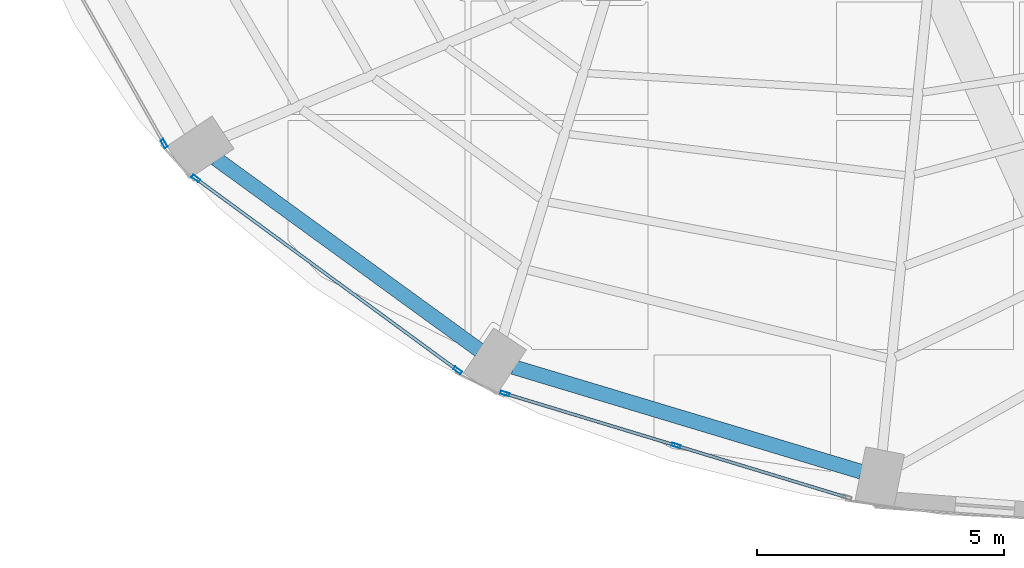
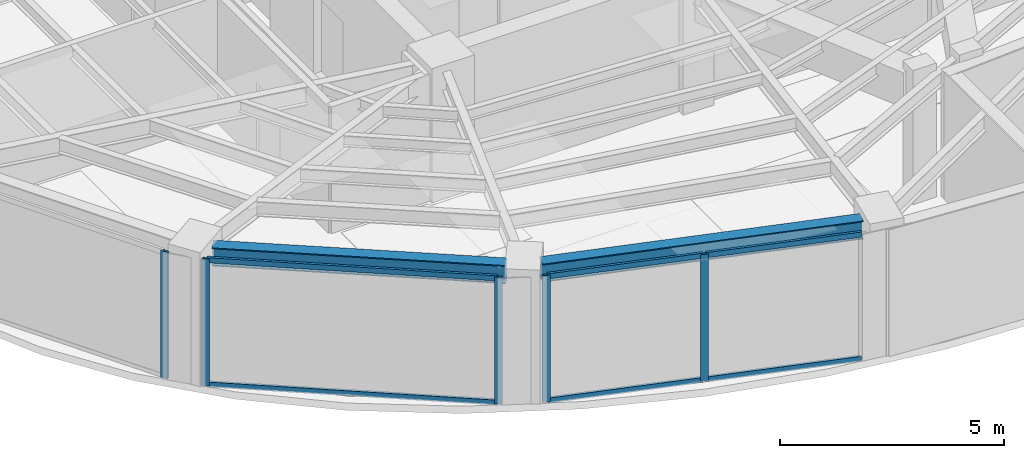
# One storey, part 2 of 23: 11 members, 2 beams, 3 elements without a shape of their own.
"""IFC4 building model written with IfcOpenShell, lengths in metres."""

from ifc_helpers import new_model, si_unit, direction, frame, origin, origin_2d, place, context, subcontext, project, spatial, hollow_rectangle, i_section, extrude, material, layer, layer_set, material_profile, profile_set, type_object, element, aggregate, save


model = new_model("IFC4")

# Units and contexts
model_context = context("Model", 3, precision=1e-05, world=origin(), true_north=direction((0.0, 1.0)))
body_context = subcontext(model_context, "Body", "Model", "MODEL_VIEW")
ifc_project = project(units=[si_unit("LENGTHUNIT", "METRE"), si_unit("AREAUNIT", "SQUARE_METRE"), si_unit("VOLUMEUNIT", "CUBIC_METRE"), si_unit("PLANEANGLEUNIT", "RADIAN"), si_unit("MASSUNIT", "GRAM", prefix="KILO")], contexts=[model_context])

# Site, building, storey
site_placement = place(None, origin())
site = spatial("IfcSite", under=ifc_project, at=site_placement, CompositionType="ELEMENT")
building_placement = place(site_placement, origin())
building = spatial("IfcBuilding", under=site, at=building_placement, Name="Lazwardi Medical Tower", CompositionType="ELEMENT")
storey_placement = place(building_placement, frame((0.0, 0.0, 262.320068359375)))
storey = spatial("IfcBuildingStorey", under=building, at=storey_placement, Name="L68", CompositionType="ELEMENT", Elevation=262.320068359375)

# Beams
ifc_material_1 = material(Name="Steel S355", Category="steel")
ifc_material_profile_1 = material_profile(ifc_material_1, i_section(OverallWidth=0.300048828125, OverallDepth=0.5, WebThickness=0.014404296875, FlangeThickness=0.028076171875, at=origin_2d()), Name="HEB 500")
ifc_profile_set_1 = profile_set([ifc_material_profile_1], Name="Steel S355")
beam_type = type_object("IfcBeamType", Name="BM-RB-Z4", PredefinedType="BEAM", material=ifc_profile_set_1)
beam_1_placement = place(storey_placement, frame((18.355712890625, 16.648193359375, 3.197998046875), z_axis=(0.808889916254, -0.587960120571, 0.0), x_axis=(0.587960120571, 0.808889916254, 0.0)))
element("IfcBeam", 1, at=beam_1_placement, inside=storey, type_object=beam_type, Name="Ring beam RB-05 B14 L68", PredefinedType="BEAM", context=body_context, shape_type="SweptSolid", body=[
    extrude(i_section(OverallWidth=0.300048828125, OverallDepth=0.5, WebThickness=0.014404296875, FlangeThickness=0.028076171875, at=origin_2d()), origin(), (0.0, 0.0, 1.0), 6.587158203125),
])
beam_2_placement = place(storey_placement, frame((24.373046875, 12.43359375, 3.197998046875), z_axis=(0.957544311906, -0.288286126506, 0.0), x_axis=(0.288286126506, 0.957544311906, 0.0)))
element("IfcBeam", 2, at=beam_2_placement, inside=storey, type_object=beam_type, Name="Ring beam RB-05 B15 L68", PredefinedType="BEAM", context=body_context, shape_type="SweptSolid", body=[
    extrude(i_section(OverallWidth=0.300048828125, OverallDepth=0.5, WebThickness=0.014404296875, FlangeThickness=0.028076171875, at=origin_2d()), origin(), (0.0, 0.0, 1.0), 7.3515625),
])

# Curtain wall, member
ifc_material_2 = material(Name="Anodised bronze aluminium and solar control glazing", Category="aluminium")
ifc_layer = layer(ifc_material_2, 0.18994140625)
ifc_layer_set = layer_set([ifc_layer], Name="Anodised bronze aluminium and solar control glazing")
curtain_wall_type = type_object("IfcCurtainWallType", Name="CW-SYS-04", PredefinedType="NOTDEFINED", material=ifc_layer_set)
curtain_wall_1_placement = place(storey_placement, origin())
curtain_wall_1 = element("IfcCurtainWall", 3, at=curtain_wall_1_placement, inside=storey, type_object=curtain_wall_type, Name="L68 Unitised bronze curtain wall CW-04", PredefinedType="NOTDEFINED")
ifc_material_3 = material(Name="Anodised bronze aluminium", Category="aluminium")
ifc_material_profile_2 = material_profile(ifc_material_3, hollow_rectangle(XDim=0.06494140625, YDim=0.179931640625, WallThickness=0.00390625, at=origin_2d()), Name="ALU-MULLION 180x65x4")
ifc_profile_set_2 = profile_set([ifc_material_profile_2], Name="Anodised bronze aluminium")
member_type_1 = type_object("IfcMemberType", Name="CW-MUL-03", PredefinedType="MULLION", material=ifc_profile_set_2)
member_1_placement = place(storey_placement, frame((17.3056640625, 16.95458984375, 0.0), z_axis=(0.0, 0.0, 1.0), x_axis=(0.870651436011, 0.491900474661, 0.0)))
member_1 = element("IfcMember", 4, at=member_1_placement, type_object=member_type_1, Name="CW-04 mullion 2", PredefinedType="MULLION", context=body_context, shape_type="SweptSolid", body=[
    extrude(hollow_rectangle(XDim=0.06494140625, YDim=0.179931640625, WallThickness=0.00390625, at=origin_2d()), origin(), (0.0, 0.0, 1.0), 3.447998046875),
])
aggregate(curtain_wall_1, [member_1])

# Curtain wall, members
curtain_wall_2_placement = place(storey_placement, origin())
curtain_wall_2 = element("IfcCurtainWall", 5, at=curtain_wall_2_placement, inside=storey, type_object=curtain_wall_type, Name="L68 Unitised bronze curtain wall CW-04", PredefinedType="NOTDEFINED")
member_2_placement = place(storey_placement, frame((17.947998046875, 16.248291015625, 0.0), z_axis=(0.0, 0.0, 1.0), x_axis=(0.591268230971, 0.806474971121, 0.0)))
member_2 = element("IfcMember", 6, at=member_2_placement, type_object=member_type_1, Name="CW-04 mullion 1", PredefinedType="MULLION", context=body_context, shape_type="SweptSolid", body=[
    extrude(hollow_rectangle(XDim=0.06494140625, YDim=0.179931640625, WallThickness=0.00390625, at=origin_2d()), origin(), (0.0, 0.0, 1.0), 3.447998046875),
])
member_3_placement = place(storey_placement, frame((23.24462890625, 12.365234375, 0.0), z_axis=(0.0, 0.0, 1.0), x_axis=(0.591268230971, 0.806474971121, 0.0)))
member_3 = element("IfcMember", 7, at=member_3_placement, type_object=member_type_1, Name="CW-04 mullion 2", PredefinedType="MULLION", context=body_context, shape_type="SweptSolid", body=[
    extrude(hollow_rectangle(XDim=0.06494140625, YDim=0.179931640625, WallThickness=0.00390625, at=origin_2d()), origin(), (0.0, 0.0, 1.0), 3.447998046875),
])

curtain_wall_3_placement = place(storey_placement, origin())
curtain_wall_3 = element("IfcCurtainWall", 8, at=curtain_wall_3_placement, inside=storey, type_object=curtain_wall_type, Name="L68 Unitised bronze curtain wall CW-04", PredefinedType="NOTDEFINED")
member_4_placement = place(storey_placement, frame((24.2001953125, 11.896484375, 0.0), z_axis=(0.0, 0.0, 1.0), x_axis=(0.290581889515, 0.956850126972, 0.0)))
member_4 = element("IfcMember", 9, at=member_4_placement, type_object=member_type_1, Name="CW-04 mullion 1", PredefinedType="MULLION", context=body_context, shape_type="SweptSolid", body=[
    extrude(hollow_rectangle(XDim=0.06494140625, YDim=0.179931640625, WallThickness=0.00390625, at=origin_2d()), origin(), (0.0, 0.0, 1.0), 3.447998046875),
])
member_5_placement = place(storey_placement, frame((27.66357421875, 10.8447265625, 0.0), z_axis=(0.0, 0.0, 1.0), x_axis=(0.290581889515, 0.956850126972, 0.0)))
member_5 = element("IfcMember", 10, at=member_5_placement, type_object=member_type_1, Name="CW-04 mullion 2", PredefinedType="MULLION", context=body_context, shape_type="SweptSolid", body=[
    extrude(hollow_rectangle(XDim=0.06494140625, YDim=0.179931640625, WallThickness=0.00390625, at=origin_2d()), origin(), (0.0, 0.0, 1.0), 3.447998046875),
])

# Member
ifc_material_profile_3 = material_profile(ifc_material_3, hollow_rectangle(XDim=0.06494140625, YDim=0.139892578125, WallThickness=0.00341796875, at=origin_2d()), Name="ALU-TRANSOM 140x65x3.5")
ifc_profile_set_3 = profile_set([ifc_material_profile_3], Name="Anodised bronze aluminium")
member_type_2 = type_object("IfcMemberType", Name="CW-TRN-03", PredefinedType="USERDEFINED", material=ifc_profile_set_3)
member_6_placement = place(storey_placement, frame((17.97412109375, 16.229248046875, 0.032470703125), z_axis=(0.806471831148, -0.591272513791, 0.0), x_axis=(0.591272513791, 0.806471831148, 0.0)))
member_6 = element("IfcMember", 11, at=member_6_placement, type_object=member_type_2, Name="CW-04 transom 1.1", ObjectType="TRANSOM", PredefinedType="USERDEFINED", context=body_context, shape_type="SweptSolid", body=[
    extrude(hollow_rectangle(XDim=0.06494140625, YDim=0.139892578125, WallThickness=0.00341796875, at=origin_2d()), origin(), (0.0, 0.0, 1.0), 6.5029296875),
])

member_7_placement = place(storey_placement, frame((17.97412109375, 16.229248046875, 3.41552734375), z_axis=(0.806471831148, -0.591272513791, 0.0), x_axis=(0.591272513791, 0.806471831148, 0.0)))
member_7 = element("IfcMember", 12, at=member_7_placement, type_object=member_type_2, Name="CW-04 transom 1.2", ObjectType="TRANSOM", PredefinedType="USERDEFINED", context=body_context, shape_type="SweptSolid", body=[
    extrude(hollow_rectangle(XDim=0.06494140625, YDim=0.139892578125, WallThickness=0.00341796875, at=origin_2d()), origin(), (0.0, 0.0, 1.0), 6.5029296875),
])

aggregate(curtain_wall_2, [member_2, member_3, member_6, member_7])

member_8_placement = place(storey_placement, frame((24.2314453125, 11.886962890625, 0.032470703125), z_axis=(0.956862505902, -0.290541124109, 0.0), x_axis=(0.290541124109, 0.956862505902, 0.0)))
member_8 = element("IfcMember", 13, at=member_8_placement, type_object=member_type_2, Name="CW-04 transom 1.1", ObjectType="TRANSOM", PredefinedType="USERDEFINED", context=body_context, shape_type="SweptSolid", body=[
    extrude(hollow_rectangle(XDim=0.06494140625, YDim=0.139892578125, WallThickness=0.00341796875, at=origin_2d()), origin(), (0.0, 0.0, 1.0), 3.554443359375),
])

member_9_placement = place(storey_placement, frame((24.2314453125, 11.886962890625, 3.41552734375), z_axis=(0.956862505902, -0.290541124109, 0.0), x_axis=(0.290541124109, 0.956862505902, 0.0)))
member_9 = element("IfcMember", 14, at=member_9_placement, type_object=member_type_2, Name="CW-04 transom 1.2", ObjectType="TRANSOM", PredefinedType="USERDEFINED", context=body_context, shape_type="SweptSolid", body=[
    extrude(hollow_rectangle(XDim=0.06494140625, YDim=0.139892578125, WallThickness=0.00341796875, at=origin_2d()), origin(), (0.0, 0.0, 1.0), 3.554443359375),
])

member_10_placement = place(storey_placement, frame((27.694580078125, 10.835205078125, 0.032470703125), z_axis=(0.956862505902, -0.290541124109, 0.0), x_axis=(0.290541124109, 0.956862505902, 0.0)))
member_10 = element("IfcMember", 15, at=member_10_placement, type_object=member_type_2, Name="CW-04 transom 2.1", ObjectType="TRANSOM", PredefinedType="USERDEFINED", context=body_context, shape_type="SweptSolid", body=[
    extrude(hollow_rectangle(XDim=0.06494140625, YDim=0.139892578125, WallThickness=0.00341796875, at=origin_2d()), origin(), (0.0, 0.0, 1.0), 3.554443359375),
])

member_11_placement = place(storey_placement, frame((27.694580078125, 10.835205078125, 3.41552734375), z_axis=(0.956862505902, -0.290541124109, 0.0), x_axis=(0.290541124109, 0.956862505902, 0.0)))
member_11 = element("IfcMember", 16, at=member_11_placement, type_object=member_type_2, Name="CW-04 transom 2.2", ObjectType="TRANSOM", PredefinedType="USERDEFINED", context=body_context, shape_type="SweptSolid", body=[
    extrude(hollow_rectangle(XDim=0.06494140625, YDim=0.139892578125, WallThickness=0.00341796875, at=origin_2d()), origin(), (0.0, 0.0, 1.0), 3.554443359375),
])

aggregate(curtain_wall_3, [member_4, member_5, member_8, member_9, member_10, member_11])

save(model, "model.ifc")
